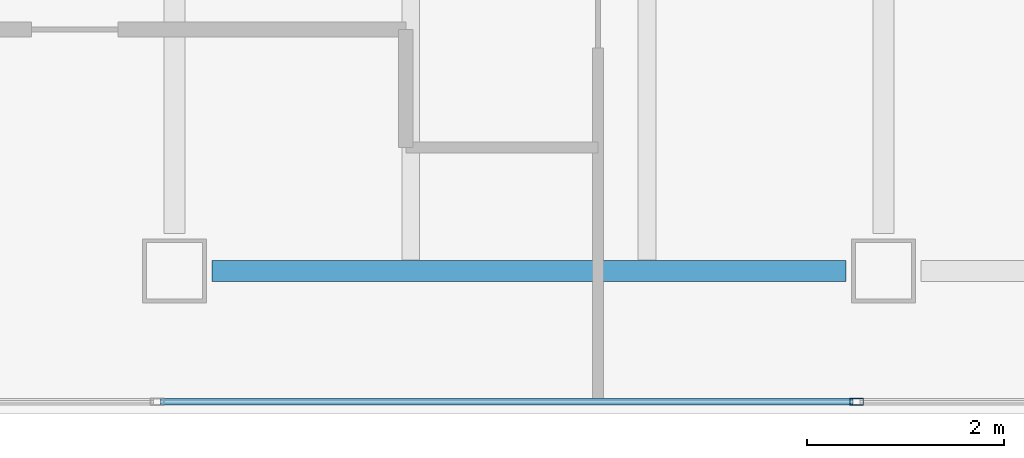
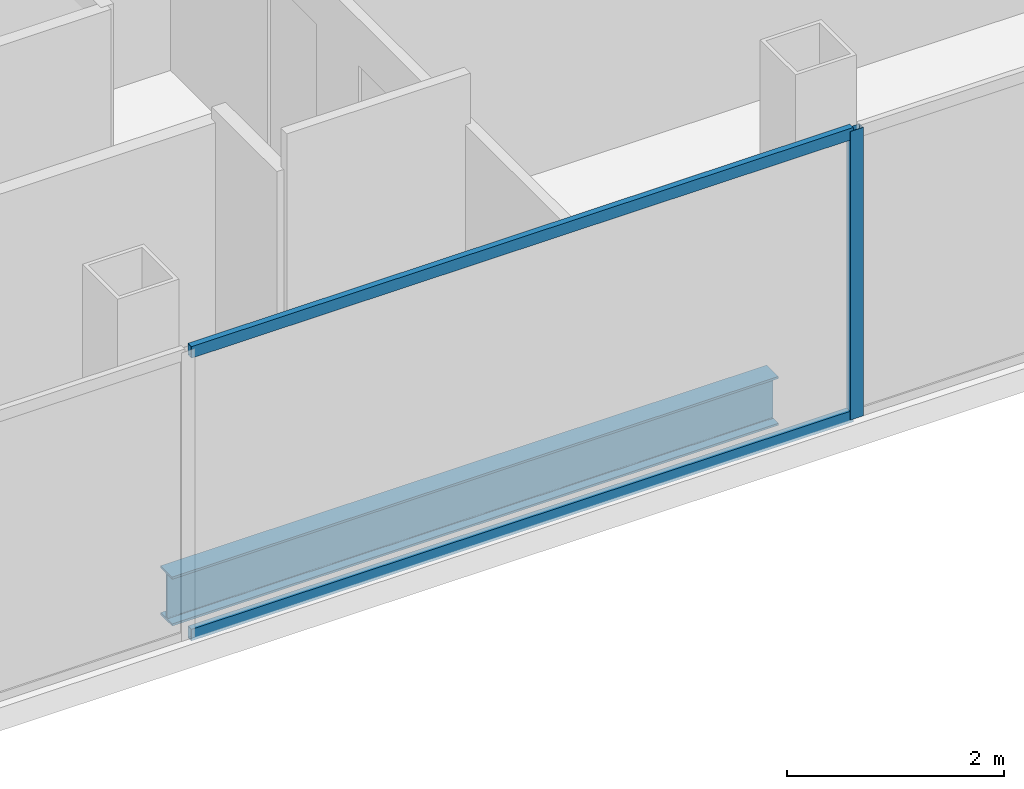
# One storey, part 6 of 24: 3 members, 1 beam, 1 element without a shape of its own.
"""IFC4 building model written with IfcOpenShell, lengths in metres."""

from ifc_helpers import new_model, si_unit, direction, frame, origin, origin_2d, place, context, subcontext, project, spatial, hollow_rectangle, i_section, extrude, material, material_profile, profile_set, type_object, element, aggregate, save


model = new_model("IFC4")

# Units and contexts
model_context = context("Model", 3, precision=1e-05, world=origin(), true_north=direction((0.0, 1.0)))
body_context = subcontext(model_context, "Body", "Model", "MODEL_VIEW")
ifc_project = project(units=[si_unit("LENGTHUNIT", "METRE"), si_unit("AREAUNIT", "SQUARE_METRE"), si_unit("VOLUMEUNIT", "CUBIC_METRE"), si_unit("PLANEANGLEUNIT", "RADIAN"), si_unit("MASSUNIT", "GRAM", prefix="KILO")], contexts=[model_context])

# Site, building, storey
site_placement = place(None, origin())
site = spatial("IfcSite", under=ifc_project, at=site_placement, CompositionType="ELEMENT")
building_placement = place(site_placement, origin())
building = spatial("IfcBuilding", under=site, at=building_placement, Name="Cobrela Telecom Tower", CompositionType="ELEMENT")
storey_placement = place(building_placement, frame((0.0, 0.0, 241.14990234375)))
storey = spatial("IfcBuildingStorey", under=building, at=storey_placement, Name="L62", CompositionType="ELEMENT", Elevation=241.14990234375)

# Beam
ifc_material_1 = material(Name="Steel ASTM A992 Grade 50", Category="steel")
ifc_material_profile_1 = material_profile(ifc_material_1, i_section(OverallWidth=0.212890625, OverallDepth=0.549072265625, WebThickness=0.0146484375, FlangeThickness=0.023681640625, FilletRadius=0.013916015625, at=origin_2d()), Name="W21X93")
ifc_profile_set_1 = profile_set([ifc_material_profile_1], Name="Steel ASTM A992 Grade 50")
beam_type = type_object("IfcBeamType", Name="BM-GIRD-08", PredefinedType="USERDEFINED", material=ifc_profile_set_1)
beam_placement = place(storey_placement, frame((21.97998046875, 7.85009765625, -0.534423828125), z_axis=(1.0, 0.0, 0.0), x_axis=(0.0, 1.0, 0.0)))
element("IfcBeam", 1, at=beam_placement, inside=storey, type_object=beam_type, Name="L62 Primary Girder X03", ObjectType="GIRDER", PredefinedType="USERDEFINED", context=body_context, shape_type="SweptSolid", body=[
    extrude(i_section(OverallWidth=0.212890625, OverallDepth=0.549072265625, WebThickness=0.0146484375, FlangeThickness=0.023681640625, FilletRadius=0.013916015625, at=origin_2d()), origin(), (0.0, 0.0, 1.0), 6.43994140625),
])

# Curtain wall, members
ifc_material_2 = material(Name="Anodized Bronze Aluminium 6063-T6", Category="aluminium")
curtain_wall_type = type_object("IfcCurtainWallType", Name="CW-SYS-OFF-HI", PredefinedType="USERDEFINED", material=ifc_material_2)
curtain_wall_placement = place(storey_placement, origin())
curtain_wall = element("IfcCurtainWall", 2, at=curtain_wall_placement, inside=storey, type_object=curtain_wall_type, Name="L62 Unitised Bronze Curtain Wall 15", ObjectType="UNITISED CURTAIN WALL", PredefinedType="USERDEFINED")
ifc_material_profile_2 = material_profile(ifc_material_2, hollow_rectangle(XDim=0.070068359375, YDim=0.139892578125, WallThickness=0.00390625, at=origin_2d()), Name="ALU 70x140x4")
ifc_profile_set_2 = profile_set([ifc_material_profile_2], Name="Anodized Bronze Aluminium 6063-T6")
member_type_1 = type_object("IfcMemberType", Name="CW-SYS-OFF-HI-MUL", PredefinedType="MULLION", material=ifc_profile_set_2)
member_1_placement = place(storey_placement, frame((28.526611328125, 6.52001953125, 0.0), z_axis=(0.0, 0.0, 1.0), x_axis=(0.0, -1.0, 0.0)))
member_1 = element("IfcMember", 3, at=member_1_placement, type_object=member_type_1, Name="CW-OFF-HI mullion 3", PredefinedType="MULLION", context=body_context, shape_type="SweptSolid", body=[
    extrude(hollow_rectangle(XDim=0.070068359375, YDim=0.139892578125, WallThickness=0.00390625, at=origin_2d()), origin(), (0.0, 0.0, 1.0), 3.239990234375),
])
ifc_material_profile_3 = material_profile(ifc_material_2, hollow_rectangle(XDim=0.06494140625, YDim=0.1298828125, WallThickness=0.00390625, at=origin_2d()), Name="ALU 65x130x4")
ifc_profile_set_3 = profile_set([ifc_material_profile_3], Name="Anodized Bronze Aluminium 6063-T6")
member_type_2 = type_object("IfcMemberType", Name="CW-SYS-OFF-HI-TRN", PredefinedType="USERDEFINED", material=ifc_profile_set_3)
member_2_placement = place(storey_placement, frame((28.49169921875, 6.52001953125, 0.03271484375), z_axis=(-1.0, 0.0, 0.0), x_axis=(0.0, -1.0, 0.0)))
member_2 = element("IfcMember", 4, at=member_2_placement, type_object=member_type_2, Name="CW-OFF-HI transom 3.1", ObjectType="TRANSOM", PredefinedType="USERDEFINED", context=body_context, shape_type="SweptSolid", body=[
    extrude(hollow_rectangle(XDim=0.06494140625, YDim=0.1298828125, WallThickness=0.00390625, at=origin_2d()), origin(), (0.0, 0.0, 1.0), 7.03173828125),
])
member_3_placement = place(storey_placement, frame((28.49169921875, 6.52001953125, 3.20751953125), z_axis=(-1.0, 0.0, 0.0), x_axis=(0.0, -1.0, 0.0)))
member_3 = element("IfcMember", 5, at=member_3_placement, type_object=member_type_2, Name="CW-OFF-HI transom 3.2", ObjectType="TRANSOM", PredefinedType="USERDEFINED", context=body_context, shape_type="SweptSolid", body=[
    extrude(hollow_rectangle(XDim=0.06494140625, YDim=0.1298828125, WallThickness=0.00390625, at=origin_2d()), origin(), (0.0, 0.0, 1.0), 7.03173828125),
])
aggregate(curtain_wall, [member_1, member_2, member_3])

save(model, "model.ifc")
